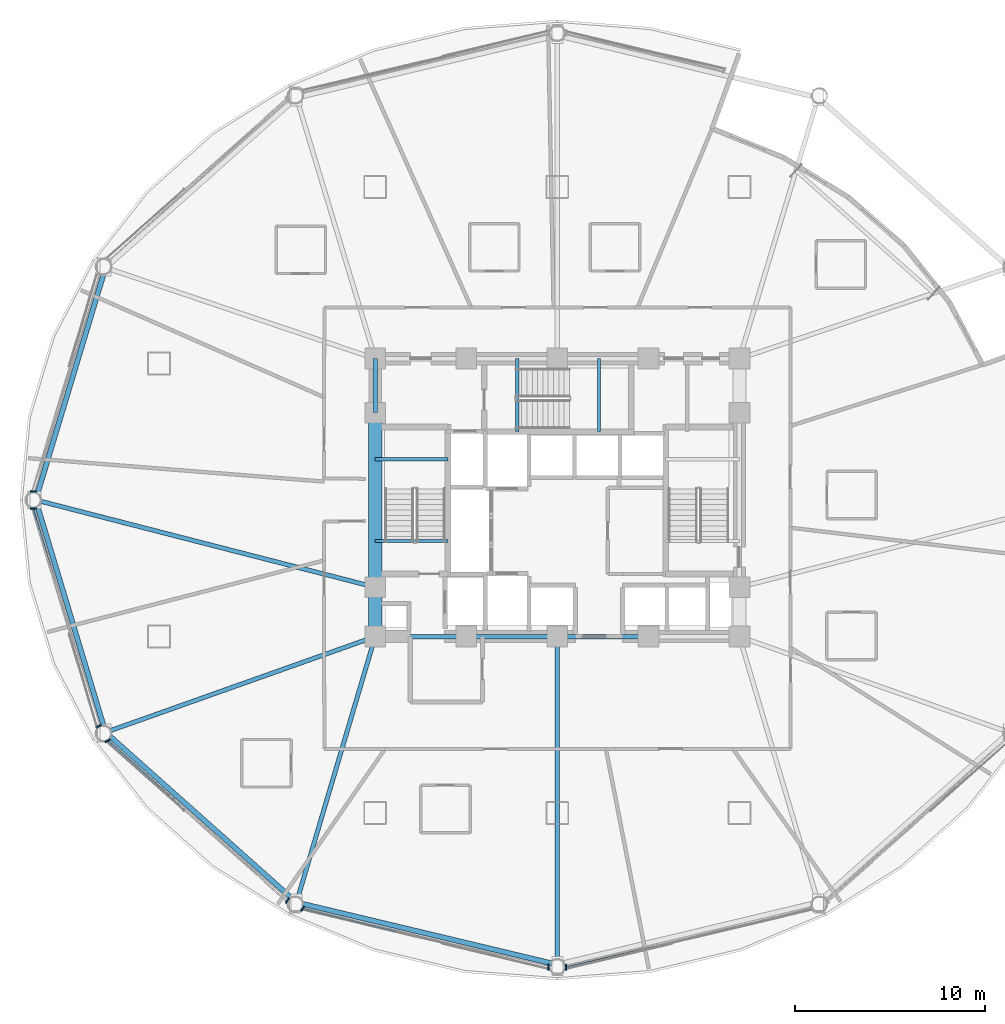
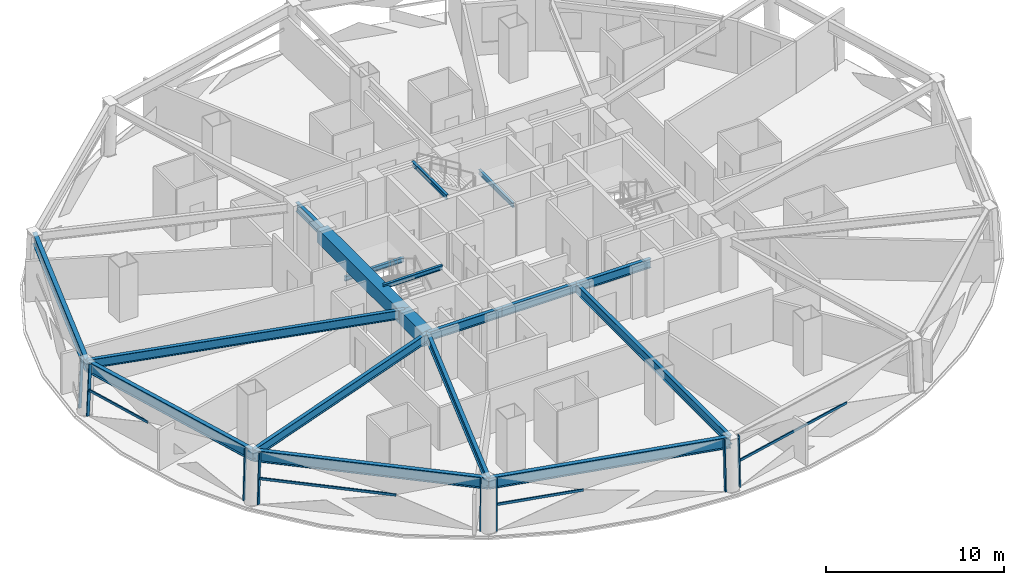
# One storey, part 2 of 16: 18 beams, 12 members, 5 elements without a shape of their own.
"""IFC4 building model written with IfcOpenShell, lengths in metres."""

from ifc_helpers import new_model, si_unit, direction, frame, origin, origin_2d, place, context, subcontext, project, spatial, rectangle, hollow_rectangle, i_section, extrude, material, layer, layer_set, material_profile, profile_set, type_object, element, aggregate, save


model = new_model("IFC4")

# Units and contexts
model_context = context("Model", 3, precision=1e-05, world=origin(), true_north=direction((0.0, 1.0)))
body_context = subcontext(model_context, "Body", "Model", "MODEL_VIEW")
ifc_project = project(units=[si_unit("LENGTHUNIT", "METRE"), si_unit("AREAUNIT", "SQUARE_METRE"), si_unit("VOLUMEUNIT", "CUBIC_METRE"), si_unit("PLANEANGLEUNIT", "RADIAN"), si_unit("MASSUNIT", "GRAM", prefix="KILO")], contexts=[model_context])

# Site, building, storey
site_placement = place(None, origin())
site = spatial("IfcSite", under=ifc_project, at=site_placement, CompositionType="ELEMENT")
building_placement = place(site_placement, origin())
building = spatial("IfcBuilding", under=site, at=building_placement, Name="Vantalir Tower", CompositionType="ELEMENT")
storey_placement = place(building_placement, frame((0.0, 0.0, 75.75)))
storey = spatial("IfcBuildingStorey", under=building, at=storey_placement, Name="L18", CompositionType="ELEMENT", Elevation=75.75)

# Beams
ifc_material_1 = material(Name="Concrete C60/75", Category="concrete")
ifc_material_profile_1 = material_profile(ifc_material_1, rectangle(XDim=0.699951171875, YDim=0.949951171875, at=origin_2d()), Name="Concrete C60/75")
ifc_profile_set_1 = profile_set([ifc_material_profile_1], Name="Concrete C60/75")
beam_type_1 = type_object("IfcBeamType", Name="BM-CB-700x950", PredefinedType="USERDEFINED", material=ifc_profile_set_1)
beam_1_placement = place(storey_placement, frame((21.89990234375, 29.60009765625, 3.094970703125), z_axis=(0.0, -1.0, 0.0), x_axis=(1.0, 0.0, 0.0)))
element("IfcBeam", 1, at=beam_1_placement, inside=storey, type_object=beam_type_1, Name="L18 Core Coupling Girder 13", ObjectType="GIRDER", PredefinedType="USERDEFINED", context=body_context, shape_type="SweptSolid", body=[
    extrude(rectangle(XDim=0.699951171875, YDim=0.949951171875, at=origin_2d()), origin(), (0.0, 0.0, 1.0), 9.2001953125),
])
beam_2_placement = place(storey_placement, frame((21.89990234375, 20.39990234375, 3.094970703125), z_axis=(0.0, -1.0, 0.0), x_axis=(1.0, 0.0, 0.0)))
element("IfcBeam", 2, at=beam_2_placement, inside=storey, type_object=beam_type_1, Name="L18 Core Coupling Girder 14", ObjectType="GIRDER", PredefinedType="USERDEFINED", context=body_context, shape_type="SweptSolid", body=[
    extrude(rectangle(XDim=0.699951171875, YDim=0.949951171875, at=origin_2d()), origin(), (0.0, 0.0, 1.0), 2.599853515625),
])
ifc_material_2 = material(Name="Steel S355", Category="steel")
ifc_material_profile_2 = material_profile(ifc_material_2, i_section(OverallWidth=0.166015625, OverallDepth=0.306884765625, WebThickness=0.006591796875, FlangeThickness=0.01171875, at=origin_2d()), Name="Steel S355")
ifc_profile_set_2 = profile_set([ifc_material_profile_2], Name="Steel S355")
beam_type_2 = type_object("IfcBeamType", Name="BM-JS-305x165", PredefinedType="JOIST", material=ifc_profile_set_2)
for number, where, z_axis, x_axis, name in (
    (3, (21.89990234375, 22.8349609375, 3.595947265625), (1.0, 0.0, 0.0), (0.0, 1.0, 0.0), "L19 Stair ST1 Well Nosing Trimmer Beam"),
    (4, (21.89990234375, 27.14501953125, 1.52197265625), (1.0, 0.0, 0.0), (0.0, 1.0, 0.0), "L18 Stair ST1 Half-Landing Support Beam"),
):
    element("IfcBeam", number, at=place(storey_placement, frame(where, z_axis=z_axis, x_axis=x_axis)), inside=storey, type_object=beam_type_2, Name=name, PredefinedType="JOIST", context=body_context, shape_type="SweptSolid", body=[
        extrude(i_section(OverallWidth=0.166015625, OverallDepth=0.306884765625, WebThickness=0.006591796875, FlangeThickness=0.01171875, at=origin_2d()), origin(), (0.0, 0.0, 1.0), 3.840087890625),
    ])
for number, where, z_axis, x_axis, name in (
    (5, (29.385009765625, 28.60009765625, 3.595947265625), (0.0, 1.0, 0.0), (-1.0, 0.0, 0.0), "L19 Stair ST3 Well Nosing Trimmer Beam"),
    (6, (33.695068359375, 28.60009765625, 1.52197265625), (0.0, 1.0, 0.0), (-1.0, 0.0, 0.0), "L18 Stair ST3 Half-Landing Support Beam"),
):
    element("IfcBeam", number, at=place(storey_placement, frame(where, z_axis=z_axis, x_axis=x_axis)), inside=storey, type_object=beam_type_2, Name=name, PredefinedType="JOIST", context=body_context, shape_type="SweptSolid", body=[
        extrude(i_section(OverallWidth=0.166015625, OverallDepth=0.306884765625, WebThickness=0.006591796875, FlangeThickness=0.01171875, at=origin_2d()), origin(), (0.0, 0.0, 1.0), 3.849853515625),
    ])
ifc_material_profile_3 = material_profile(ifc_material_2, i_section(OverallWidth=0.22998046875, OverallDepth=0.616943359375, WebThickness=0.01318359375, FlangeThickness=0.022216796875, at=origin_2d()), Name="Steel S355")
ifc_profile_set_3 = profile_set([ifc_material_profile_3], Name="Steel S355")
beam_type_3 = type_object("IfcBeamType", Name="BM-RB-610x229", PredefinedType="BEAM", material=ifc_profile_set_3)
for number, where, z_axis, x_axis, name in (
    (7, (21.89990234375, 17.800048828125, 3.261962890625), (1.0, 0.0, 0.0), (0.0, 1.0, 0.0), "L18 Core Coupling Girder 01"),
    (8, (26.699951171875, 17.800048828125, 3.261962890625), (1.0, 0.0, 0.0), (0.0, 1.0, 0.0), "L18 Core Coupling Girder 02"),
    (9, (31.5, 17.800048828125, 3.261962890625), (1.0, 0.0, 0.0), (0.0, 1.0, 0.0), "L18 Core Coupling Girder 03"),
):
    element("IfcBeam", number, at=place(storey_placement, frame(where, z_axis=z_axis, x_axis=x_axis)), inside=storey, type_object=beam_type_3, Name=name, PredefinedType="BEAM", context=body_context, shape_type="SweptSolid", body=[
        extrude(i_section(OverallWidth=0.22998046875, OverallDepth=0.616943359375, WebThickness=0.01318359375, FlangeThickness=0.022216796875, at=origin_2d()), origin(), (0.0, 0.0, 1.0), 4.800048828125),
    ])
beam_3_placement = place(storey_placement, frame((21.89990234375, 32.449951171875, 3.261962890625), z_axis=(0.0, -1.0, 0.0), x_axis=(1.0, 0.0, 0.0)))
element("IfcBeam", 10, at=beam_3_placement, inside=storey, type_object=beam_type_3, Name="L18 Core Coupling Girder 12", PredefinedType="BEAM", context=body_context, shape_type="SweptSolid", body=[
    extrude(i_section(OverallWidth=0.22998046875, OverallDepth=0.616943359375, WebThickness=0.01318359375, FlangeThickness=0.022216796875, at=origin_2d()), origin(), (0.0, 0.0, 1.0), 2.849853515625),
])
beam_4_placement = place(storey_placement, frame((4.0, 25.0, 3.261962890625), z_axis=(0.968528607781, -0.248902261761, 0.0), x_axis=(0.248902261761, 0.968528607781, 0.0)))
element("IfcBeam", 11, at=beam_4_placement, inside=storey, type_object=beam_type_3, Name="L18 Radial Floor Beam 07", PredefinedType="BEAM", context=body_context, shape_type="SweptSolid", body=[
    extrude(i_section(OverallWidth=0.22998046875, OverallDepth=0.616943359375, WebThickness=0.01318359375, FlangeThickness=0.022216796875, at=origin_2d()), origin(), (0.0, 0.0, 1.0), 18.4814453125),
])
beam_5_placement = place(storey_placement, frame((7.68408203125, 12.751953125, 3.261962890625), z_axis=(0.942348909406, 0.334631936522, 0.0), x_axis=(-0.334631936522, 0.942348909406, 0.0)))
element("IfcBeam", 12, at=beam_5_placement, inside=storey, type_object=beam_type_3, Name="L18 Radial Floor Beam 08", PredefinedType="BEAM", context=body_context, shape_type="SweptSolid", body=[
    extrude(i_section(OverallWidth=0.22998046875, OverallDepth=0.616943359375, WebThickness=0.01318359375, FlangeThickness=0.022216796875, at=origin_2d()), origin(), (0.0, 0.0, 1.0), 15.08544921875),
])
beam_6_placement = place(storey_placement, frame((17.75, 3.787109375, 3.261962890625), z_axis=(0.283957507108, 0.958836865247, 0.0), x_axis=(-0.958836865247, 0.283957507108, 0.0)))
element("IfcBeam", 13, at=beam_6_placement, inside=storey, type_object=beam_type_3, Name="L18 Radial Floor Beam 09", PredefinedType="BEAM", context=body_context, shape_type="SweptSolid", body=[
    extrude(i_section(OverallWidth=0.22998046875, OverallDepth=0.616943359375, WebThickness=0.01318359375, FlangeThickness=0.022216796875, at=origin_2d()), origin(), (0.0, 0.0, 1.0), 14.614501953125),
])
beam_7_placement = place(storey_placement, frame((31.5, 0.5048828125, 3.261962890625), z_axis=(0.0, 1.0, 0.0), x_axis=(-1.0, 0.0, 0.0)))
element("IfcBeam", 14, at=beam_7_placement, inside=storey, type_object=beam_type_3, Name="L18 Radial Floor Beam 10", PredefinedType="BEAM", context=body_context, shape_type="SweptSolid", body=[
    extrude(i_section(OverallWidth=0.22998046875, OverallDepth=0.616943359375, WebThickness=0.01318359375, FlangeThickness=0.022216796875, at=origin_2d()), origin(), (0.0, 0.0, 1.0), 17.295166015625),
])
ifc_material_3 = material(Name="Steel S460", Category="steel")
ifc_material_profile_4 = material_profile(ifc_material_3, i_section(OverallWidth=0.26806640625, OverallDepth=0.77001953125, WebThickness=0.015625, FlangeThickness=0.025390625, at=origin_2d()), Name="Steel S460")
ifc_profile_set_4 = profile_set([ifc_material_profile_4], Name="Steel S460")
beam_type_4 = type_object("IfcBeamType", Name="BM-RG-762x267", PredefinedType="USERDEFINED", material=ifc_profile_set_4)
beam_8_placement = place(storey_placement, frame((7.68408203125, 37.2470703125, 3.18505859375), z_axis=(-0.288062352819, -0.957611654528, 0.0), x_axis=(0.957611654528, -0.288062352819, 0.0)))
element("IfcBeam", 15, at=beam_8_placement, inside=storey, type_object=beam_type_4, Name="L18 Circumferential Ring Girder 06", ObjectType="GIRDER", PredefinedType="USERDEFINED", context=body_context, shape_type="SweptSolid", body=[
    extrude(i_section(OverallWidth=0.26806640625, OverallDepth=0.77001953125, WebThickness=0.015625, FlangeThickness=0.025390625, at=origin_2d()), origin(), (0.0, 0.0, 1.0), 12.7890625),
])
beam_9_placement = place(storey_placement, frame((4.0, 25.0, 3.18505859375), z_axis=(0.288041290662, -0.957617990053, 0.0), x_axis=(0.957617990053, 0.288041290662, 0.0)))
element("IfcBeam", 16, at=beam_9_placement, inside=storey, type_object=beam_type_4, Name="L18 Circumferential Ring Girder 07", ObjectType="GIRDER", PredefinedType="USERDEFINED", context=body_context, shape_type="SweptSolid", body=[
    extrude(i_section(OverallWidth=0.26806640625, OverallDepth=0.77001953125, WebThickness=0.015625, FlangeThickness=0.025390625, at=origin_2d()), origin(), (0.0, 0.0, 1.0), 12.7900390625),
])
beam_10_placement = place(storey_placement, frame((7.68408203125, 12.751953125, 3.18505859375), z_axis=(0.74676942142, -0.665083025819, 0.0), x_axis=(0.665083025819, 0.74676942142, 0.0)))
element("IfcBeam", 17, at=beam_10_placement, inside=storey, type_object=beam_type_4, Name="L18 Circumferential Ring Girder 08", ObjectType="GIRDER", PredefinedType="USERDEFINED", context=body_context, shape_type="SweptSolid", body=[
    extrude(i_section(OverallWidth=0.26806640625, OverallDepth=0.77001953125, WebThickness=0.015625, FlangeThickness=0.025390625, at=origin_2d()), origin(), (0.0, 0.0, 1.0), 13.479248046875),
])
beam_11_placement = place(storey_placement, frame((17.75, 3.787109375, 3.18505859375), z_axis=(0.972671890468, -0.232183964763, 0.0), x_axis=(0.232183964763, 0.972671890468, 0.0)))
element("IfcBeam", 18, at=beam_11_placement, inside=storey, type_object=beam_type_4, Name="L18 Circumferential Ring Girder 09", ObjectType="GIRDER", PredefinedType="USERDEFINED", context=body_context, shape_type="SweptSolid", body=[
    extrude(i_section(OverallWidth=0.26806640625, OverallDepth=0.77001953125, WebThickness=0.015625, FlangeThickness=0.025390625, at=origin_2d()), origin(), (0.0, 0.0, 1.0), 14.13623046875),
])

# Curtain wall, member
ifc_material_4 = material(Name="Champagne-silver PVDF aluminium and double-silver Low-E glass", Category="aluminium")
ifc_layer = layer(ifc_material_4, 0.18994140625)
ifc_layer_set = layer_set([ifc_layer], Name="Champagne-silver PVDF aluminium and double-silver Low-E glass")
curtain_wall_type = type_object("IfcCurtainWallType", Name="CW-DIAMOND-Z1", PredefinedType="USERDEFINED", material=ifc_layer_set)
curtain_wall_1_placement = place(storey_placement, origin())
curtain_wall_1 = element("IfcCurtainWall", 19, at=curtain_wall_1_placement, inside=storey, type_object=curtain_wall_type, Name="L18 Quilted Pyramid-Diamond Curtain Wall S06", ObjectType="UNITISED CURTAIN WALL", PredefinedType="USERDEFINED")
ifc_material_5 = material(Name="Champagne-silver PVDF aluminium 6063-T6", Category="aluminium")
ifc_material_profile_5 = material_profile(ifc_material_5, hollow_rectangle(XDim=0.074951171875, YDim=0.179931640625, WallThickness=0.00390625, at=origin_2d()), Name="Champagne-silver PVDF aluminium 6063-T6")
ifc_profile_set_5 = profile_set([ifc_material_profile_5], Name="Champagne-silver PVDF aluminium 6063-T6")
member_type_1 = type_object("IfcMemberType", Name="CWM-180x75", PredefinedType="MULLION", material=ifc_profile_set_5)
member_1_placement = place(storey_placement, frame((3.794921875, 25.449951171875, 0.044921875), z_axis=(0.043105680419, 0.0, 0.99907051819), x_axis=(0.0, 1.0, 0.0)))
member_1 = element("IfcMember", 20, at=member_1_placement, type_object=member_type_1, Name="CW-L18-S06 Mullion 2", PredefinedType="MULLION", context=body_context, shape_type="SweptSolid", body=[
    extrude(hollow_rectangle(XDim=0.074951171875, YDim=0.179931640625, WallThickness=0.00390625, at=origin_2d()), origin(), (0.0, 0.0, 1.0), 3.483154296875),
])
aggregate(curtain_wall_1, [member_1])

# Curtain wall, members
curtain_wall_2_placement = place(storey_placement, origin())
curtain_wall_2 = element("IfcCurtainWall", 21, at=curtain_wall_2_placement, inside=storey, type_object=curtain_wall_type, Name="L18 Quilted Pyramid-Diamond Curtain Wall S07", ObjectType="UNITISED CURTAIN WALL", PredefinedType="USERDEFINED")
member_2_placement = place(storey_placement, frame((3.794921875, 24.550048828125, 0.044921875), z_axis=(0.043105680419, 0.0, 0.99907051819), x_axis=(0.0, 1.0, 0.0)))
member_2 = element("IfcMember", 22, at=member_2_placement, type_object=member_type_1, Name="CW-L18-S07 Mullion 1", PredefinedType="MULLION", context=body_context, shape_type="SweptSolid", body=[
    extrude(hollow_rectangle(XDim=0.074951171875, YDim=0.179931640625, WallThickness=0.00390625, at=origin_2d()), origin(), (0.0, 0.0, 1.0), 3.483154296875),
])
member_3_placement = place(storey_placement, frame((7.2548828125, 13.0400390625, 0.044921875), z_axis=(0.03736000552, 0.019205706402, 0.999117295831), x_axis=(-0.457197196227, 0.889365348865, 0.0)))
member_3 = element("IfcMember", 23, at=member_3_placement, type_object=member_type_1, Name="CW-L18-S07 Mullion 2", PredefinedType="MULLION", context=body_context, shape_type="SweptSolid", body=[
    extrude(hollow_rectangle(XDim=0.074951171875, YDim=0.179931640625, WallThickness=0.00390625, at=origin_2d()), origin(), (0.0, 0.0, 1.0), 3.483154296875),
])

curtain_wall_3_placement = place(storey_placement, origin())
curtain_wall_3 = element("IfcCurtainWall", 24, at=curtain_wall_3_placement, inside=storey, type_object=curtain_wall_type, Name="L18 Quilted Pyramid-Diamond Curtain Wall S08", ObjectType="UNITISED CURTAIN WALL", PredefinedType="USERDEFINED")
member_4_placement = place(storey_placement, frame((7.740966796875, 12.277099609375, 0.044921875), z_axis=(0.03736000552, 0.019205706402, 0.999117295831), x_axis=(-0.457197196227, 0.889365348865, 0.0)))
member_4 = element("IfcMember", 25, at=member_4_placement, type_object=member_type_1, Name="CW-L18-S08 Mullion 1", PredefinedType="MULLION", context=body_context, shape_type="SweptSolid", body=[
    extrude(hollow_rectangle(XDim=0.074951171875, YDim=0.179931640625, WallThickness=0.00390625, at=origin_2d()), origin(), (0.0, 0.0, 1.0), 3.483154296875),
])
member_5_placement = place(storey_placement, frame((17.22900390625, 3.819091796875, 0.044921875), z_axis=(0.021520879749, 0.033297778114, 0.999213745756), x_axis=(-0.839854665326, 0.542811331063, 0.0)))
member_5 = element("IfcMember", 26, at=member_5_placement, type_object=member_type_1, Name="CW-L18-S08 Mullion 2", PredefinedType="MULLION", context=body_context, shape_type="SweptSolid", body=[
    extrude(hollow_rectangle(XDim=0.074951171875, YDim=0.179931640625, WallThickness=0.00390625, at=origin_2d()), origin(), (0.0, 0.0, 1.0), 3.482666015625),
])

curtain_wall_4_placement = place(storey_placement, origin())
curtain_wall_4 = element("IfcCurtainWall", 27, at=curtain_wall_4_placement, inside=storey, type_object=curtain_wall_type, Name="L18 Quilted Pyramid-Diamond Curtain Wall S09", ObjectType="UNITISED CURTAIN WALL", PredefinedType="USERDEFINED")
member_6_placement = place(storey_placement, frame((18.037109375, 3.39697265625, 0.044921875), z_axis=(0.021520879749, 0.033297778114, 0.999213745756), x_axis=(-0.839854665326, 0.542811331063, 0.0)))
member_6 = element("IfcMember", 28, at=member_6_placement, type_object=member_type_1, Name="CW-L18-S09 Mullion 1", PredefinedType="MULLION", context=body_context, shape_type="SweptSolid", body=[
    extrude(hollow_rectangle(XDim=0.074951171875, YDim=0.179931640625, WallThickness=0.00390625, at=origin_2d()), origin(), (0.0, 0.0, 1.0), 3.482666015625),
])
member_7_placement = place(storey_placement, frame((31.04296875, 0.2900390625, 0.044921875), z_axis=(0.0, 0.038486968366, 0.999259102168), x_axis=(-1.0, 0.0, 0.0)))
member_7 = element("IfcMember", 29, at=member_7_placement, type_object=member_type_1, Name="CW-L18-S09 Mullion 2", PredefinedType="MULLION", context=body_context, shape_type="SweptSolid", body=[
    extrude(hollow_rectangle(XDim=0.074951171875, YDim=0.179931640625, WallThickness=0.00390625, at=origin_2d()), origin(), (0.0, 0.0, 1.0), 3.482666015625),
])

# Curtain wall, member
curtain_wall_5_placement = place(storey_placement, origin())
curtain_wall_5 = element("IfcCurtainWall", 30, at=curtain_wall_5_placement, inside=storey, type_object=curtain_wall_type, Name="L18 Quilted Pyramid-Diamond Curtain Wall S10", ObjectType="UNITISED CURTAIN WALL", PredefinedType="USERDEFINED")
member_8_placement = place(storey_placement, frame((31.95703125, 0.2900390625, 0.044921875), z_axis=(0.0, 0.038486968366, 0.999259102168), x_axis=(-1.0, 0.0, 0.0)))
member_8 = element("IfcMember", 31, at=member_8_placement, type_object=member_type_1, Name="CW-L18-S10 Mullion 1", PredefinedType="MULLION", context=body_context, shape_type="SweptSolid", body=[
    extrude(hollow_rectangle(XDim=0.074951171875, YDim=0.179931640625, WallThickness=0.00390625, at=origin_2d()), origin(), (0.0, 0.0, 1.0), 3.482666015625),
])

# Member
ifc_material_profile_6 = material_profile(ifc_material_5, hollow_rectangle(XDim=0.074951171875, YDim=0.159912109375, WallThickness=0.00390625, at=origin_2d()), Name="Champagne-silver PVDF aluminium 6063-T6")
ifc_profile_set_6 = profile_set([ifc_material_profile_6], Name="Champagne-silver PVDF aluminium 6063-T6")
member_type_2 = type_object("IfcMemberType", Name="CWT-160x75", PredefinedType="USERDEFINED", material=ifc_profile_set_6)
member_9_placement = place(storey_placement, frame((3.8701171875, 24.550048828125, 1.784912109375), z_axis=(0.282782029346, -0.959184197054, 0.0), x_axis=(0.959184197054, 0.282782029346, 0.0)))
member_9 = element("IfcMember", 32, at=member_9_placement, type_object=member_type_2, Name="CW-L18-S07 Pyramid Fold Ridge Transom", ObjectType="TRANSOM", PredefinedType="USERDEFINED", context=body_context, shape_type="SweptSolid", body=[
    extrude(hollow_rectangle(XDim=0.074951171875, YDim=0.159912109375, WallThickness=0.00390625, at=origin_2d()), origin(), (0.0, 0.0, 1.0), 4.55078125),
])

aggregate(curtain_wall_2, [member_2, member_3, member_9])

member_10_placement = place(storey_placement, frame((7.805908203125, 12.31103515625, 1.784912109375), z_axis=(0.74443948248, -0.66768994071, 0.0), x_axis=(0.66768994071, 0.74443948248, 0.0)))
member_10 = element("IfcMember", 33, at=member_10_placement, type_object=member_type_2, Name="CW-L18-S08 Pyramid Fold Ridge Transom", ObjectType="TRANSOM", PredefinedType="USERDEFINED", context=body_context, shape_type="SweptSolid", body=[
    extrude(hollow_rectangle(XDim=0.074951171875, YDim=0.159912109375, WallThickness=0.00390625, at=origin_2d()), origin(), (0.0, 0.0, 1.0), 7.857177734375),
])

aggregate(curtain_wall_3, [member_4, member_5, member_10])

member_11_placement = place(storey_placement, frame((18.074951171875, 3.455078125, 1.784912109375), z_axis=(0.971499759145, -0.237040540796, 0.0), x_axis=(0.237040540796, 0.971499759145, 0.0)))
member_11 = element("IfcMember", 34, at=member_11_placement, type_object=member_type_2, Name="CW-L18-S09 Pyramid Fold Ridge Transom", ObjectType="TRANSOM", PredefinedType="USERDEFINED", context=body_context, shape_type="SweptSolid", body=[
    extrude(hollow_rectangle(XDim=0.074951171875, YDim=0.159912109375, WallThickness=0.00390625, at=origin_2d()), origin(), (0.0, 0.0, 1.0), 5.063232421875),
])

aggregate(curtain_wall_4, [member_6, member_7, member_11])

member_12_placement = place(storey_placement, frame((31.95703125, 0.35693359375, 1.784912109375), z_axis=(0.97330787506, 0.229503334063, 0.0), x_axis=(-0.229503334063, 0.97330787506, 0.0)))
member_12 = element("IfcMember", 35, at=member_12_placement, type_object=member_type_2, Name="CW-L18-S10 Pyramid Fold Ridge Transom", ObjectType="TRANSOM", PredefinedType="USERDEFINED", context=body_context, shape_type="SweptSolid", body=[
    extrude(hollow_rectangle(XDim=0.074951171875, YDim=0.159912109375, WallThickness=0.00390625, at=origin_2d()), origin(), (0.0, 0.0, 1.0), 8.269775390625),
])

aggregate(curtain_wall_5, [member_8, member_12])

save(model, "model.ifc")
